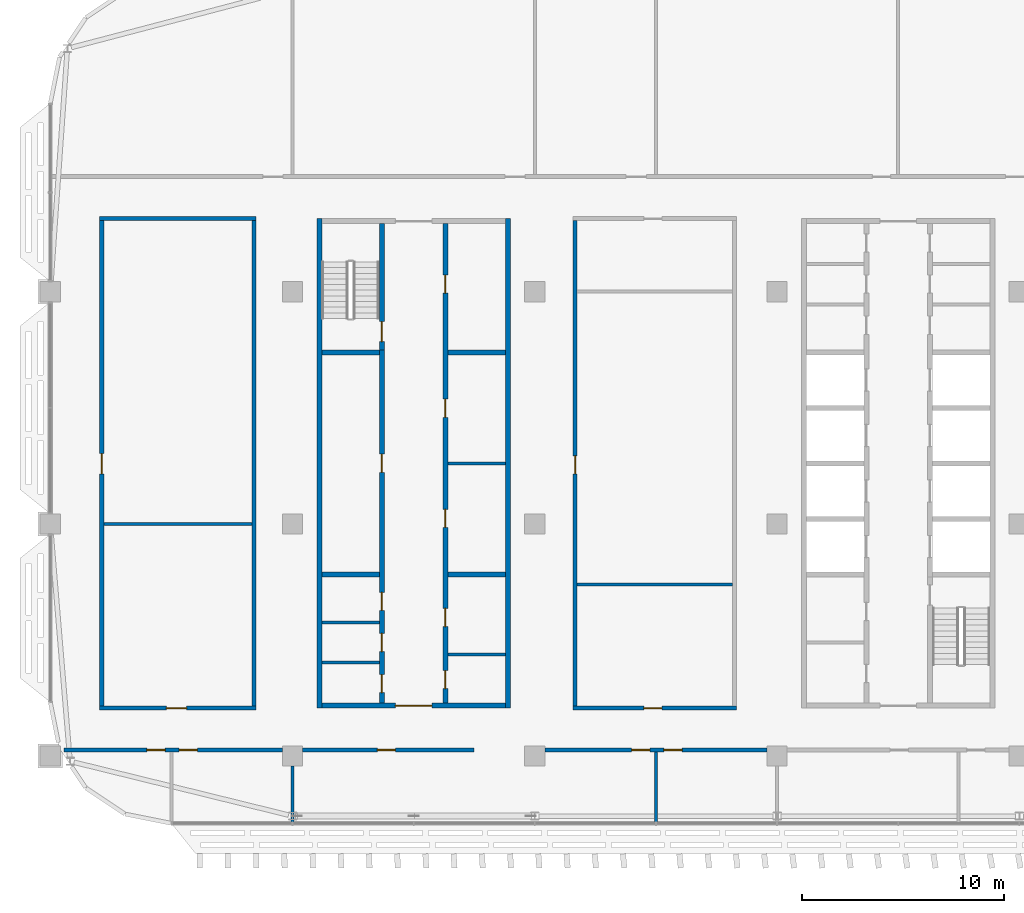
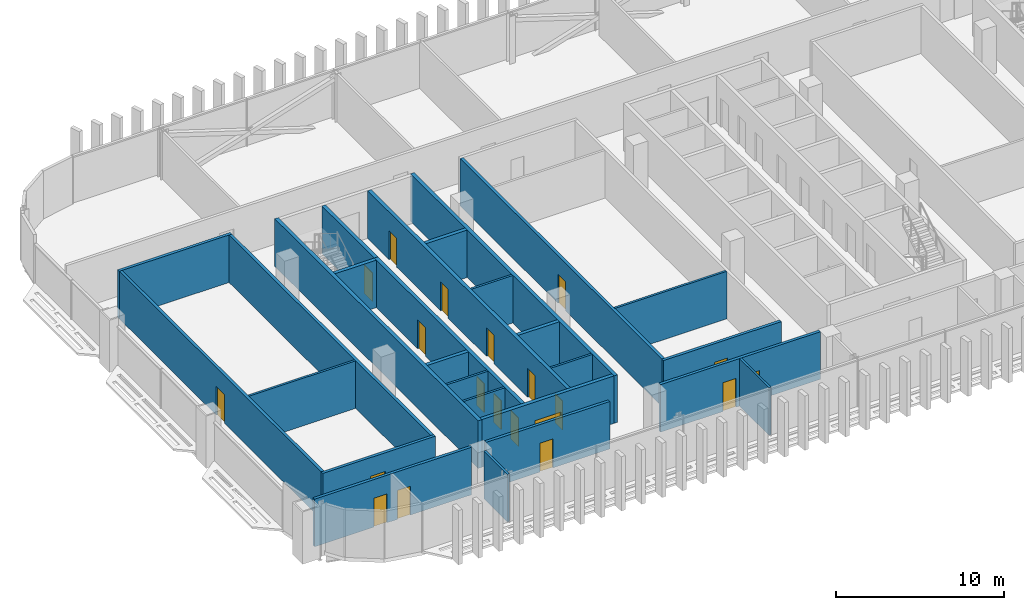
# One storey, part 17 of 35: 27 walls, 20 doors, 20 openings.
"""IFC4 building model written with IfcOpenShell, lengths in metres."""

from ifc_helpers import new_model, si_unit, direction, frame, frame_2d, origin, place, context, subcontext, project, spatial, rectangle, extrude, material, layer, layer_set, type_object, element, fill, save


model = new_model("IFC4")

# Units and contexts
model_context = context("Model", 3, precision=1e-05, world=origin(), true_north=direction((0.0, 1.0)))
body_context = subcontext(model_context, "Body", "Model", "MODEL_VIEW")
ifc_project = project(units=[si_unit("LENGTHUNIT", "METRE"), si_unit("AREAUNIT", "SQUARE_METRE"), si_unit("VOLUMEUNIT", "CUBIC_METRE"), si_unit("PLANEANGLEUNIT", "RADIAN"), si_unit("MASSUNIT", "GRAM", prefix="KILO")], contexts=[model_context])

# Site, building, storey
site_placement = place(None, origin())
site = spatial("IfcSite", under=ifc_project, at=site_placement, CompositionType="ELEMENT")
building_placement = place(site_placement, origin())
building = spatial("IfcBuilding", under=site, at=building_placement, Name="Mahtab Terrace Research Tower", CompositionType="ELEMENT")
storey_placement = place(building_placement, frame((0.0, 0.0, 251.39990234375)))
storey = spatial("IfcBuildingStorey", under=building, at=storey_placement, Name="L61", CompositionType="ELEMENT", Elevation=251.39990234375)

# Walls
ifc_material_1 = material(Name="Gypsum board partition")
ifc_layer_1 = layer(ifc_material_1, 0.14990234375)
ifc_layer_set_1 = layer_set([ifc_layer_1], Name="Core partition 150")
wall_type_1 = type_object("IfcWallType", Name="Core partition 150", PredefinedType="PARTITIONING", material=ifc_layer_set_1)
for number, where, z_axis, x_axis, name in (
    (1, (-22.300048828125, 3.0, 0.0), (0.0, 0.0, 1.0), (1.0, 0.0, 0.0), "Core wall A pEL0"),
    (2, (-28.550048828125, -6.875, 0.0), (0.0, 0.0, 1.0), (1.0, 0.0, 0.0), "Core wall A pWS-988"),
    (3, (-28.550048828125, -4.875, 0.0), (0.0, 0.0, 1.0), (1.0, 0.0, 0.0), "Core wall A pWS-788"),
    (4, (-22.300048828125, -6.47509765625, 0.0), (0.0, 0.0, 1.0), (1.0, 0.0, 0.0), "Core wall A pES-948"),
):
    element("IfcWall", number, at=place(storey_placement, frame(where, z_axis=z_axis, x_axis=x_axis)), inside=storey, type_object=wall_type_1, Name=name, PredefinedType="PARTITIONING", context=body_context, shape_type="SweptSolid", body=[
        extrude(rectangle(XDim=2.85009765625, YDim=0.14990234375, at=frame_2d((1.425048828125, 0.0))), origin(), (0.0, 0.0, 1.0), 3.460205078125),
    ])
ifc_material_2 = material(Name="Concrete C70/85", Category="concrete")
ifc_layer_2 = layer(ifc_material_2, 0.25)
ifc_layer_set_2 = layer_set([ifc_layer_2], Name="Core wall 250")
wall_type_2 = type_object("IfcWallType", Name="Core wall 250", PredefinedType="SOLIDWALL", material=ifc_layer_set_2)
for number, where, z_axis, x_axis, name in (
    (5, (-28.675048828125, 15.125, 0.0), (0.0, 0.0, 1.0), (0.0, -1.0, 0.0), "Core wall A outerW"),
    (6, (-19.324951171875, -9.125, 0.0), (0.0, 0.0, 1.0), (0.0, 1.0, 0.0), "Core wall A outerE"),
):
    element("IfcWall", number, at=place(storey_placement, frame(where, z_axis=z_axis, x_axis=x_axis)), inside=storey, type_object=wall_type_2, Name=name, PredefinedType="SOLIDWALL", context=body_context, shape_type="SweptSolid", body=[
        extrude(rectangle(XDim=24.25, YDim=0.25, at=frame_2d((12.125, 0.0))), origin(), (0.0, 0.0, 1.0), 3.460205078125),
    ])

# Wall, opening, door
wall_1_placement = place(storey_placement, frame((-19.449951171875, -9.0, 0.0), z_axis=(0.0, 0.0, 1.0), x_axis=(-1.0, 0.0, 0.0)))
wall_1 = element("IfcWall", 7, at=wall_1_placement, inside=storey, type_object=wall_type_2, Name="Core wall A endS", PredefinedType="SOLIDWALL", context=body_context, shape_type="SweptSolid", body=[
    extrude(rectangle(XDim=9.10009765625, YDim=0.25, at=frame_2d((4.550048828125, 0.0))), origin(), (0.0, 0.0, 1.0), 3.460205078125),
])
opening_1_placement = place(wall_1_placement, frame((3.64990234375, 0.0, 0.0)))
opening_1 = element("IfcOpeningElement", 8, at=opening_1_placement, cuts=wall_1, Name="Opening A-S1", PredefinedType="OPENING", context=body_context, shape_type="SweptSolid", body=[
    extrude(rectangle(XDim=1.800048828125, YDim=2.10009765625, at=frame_2d((0.89990234375, 1.050048828125))), frame((0.0, 0.135009765625, 0.0), z_axis=(0.0, -1.0, 0.0), x_axis=(1.0, 0.0, 0.0)), (0.0, 0.0, 1.0), 0.27001953125),
])
ifc_material_3 = material(Name="Steel fire door", Category="steel")
door_type_1 = type_object("IfcDoorType", Name="Lobby double door 1800x2100 1 HR", OperationType="DOUBLE_DOOR_SINGLE_SWING", PredefinedType="DOOR", material=ifc_material_3)
door_1_placement = place(opening_1_placement, origin())
door_1 = element("IfcDoor", 9, at=door_1_placement, inside=storey, type_object=door_type_1, Name="Core entrance door A S", OperationType="DOUBLE_DOOR_SINGLE_SWING", OverallHeight=2.10009765625, OverallWidth=1.800048828125, PredefinedType="DOOR", context=body_context, shape_type="SweptSolid", body=[
    extrude(rectangle(XDim=1.800048828125, YDim=2.10009765625, at=frame_2d((0.89990234375, 1.050048828125))), frame((0.0, 0.02490234375, 0.0), z_axis=(0.0, -1.0, 0.0), x_axis=(1.0, 0.0, 0.0)), (0.0, 0.0, 1.0), 0.050048828125),
])
fill(opening_1, door_1)

# Wall, openings, doors
wall_2_placement = place(storey_placement, frame((-25.574951171875, -8.875, 0.0), z_axis=(0.0, 0.0, 1.0), x_axis=(0.0, 1.0, 0.0)))
wall_2 = element("IfcWall", 10, at=wall_2_placement, inside=storey, type_object=wall_type_2, Name="Core wall A innerWSL", PredefinedType="SOLIDWALL", context=body_context, shape_type="SweptSolid", body=[
    extrude(rectangle(XDim=17.5, YDim=0.25, at=frame_2d((8.75, 0.0))), origin(), (0.0, 0.0, 1.0), 3.460205078125),
])
opening_2_placement = place(wall_2_placement, frame((11.425048828125, 0.0, 0.0)))
opening_2 = element("IfcOpeningElement", 11, at=opening_2_placement, cuts=wall_2, Name="Opening A-R1", PredefinedType="OPENING", context=body_context, shape_type="SweptSolid", body=[
    extrude(rectangle(XDim=0.89990234375, YDim=2.10009765625, at=frame_2d((0.449951171875, 1.050048828125))), frame((0.0, 0.135009765625, 0.0), z_axis=(0.0, -1.0, 0.0), x_axis=(1.0, 0.0, 0.0)), (0.0, 0.0, 1.0), 0.27001953125),
])
opening_3_placement = place(wall_2_placement, frame((0.512451171875, 0.0, 0.0)))
opening_3 = element("IfcOpeningElement", 12, at=opening_3_placement, cuts=wall_2, Name="Opening A-R4", PredefinedType="OPENING", context=body_context, shape_type="SweptSolid", body=[
    extrude(rectangle(XDim=0.89990234375, YDim=2.10009765625, at=frame_2d((0.449951171875, 1.050048828125))), frame((0.0, 0.135009765625, 0.0), z_axis=(0.0, -1.0, 0.0), x_axis=(1.0, 0.0, 0.0)), (0.0, 0.0, 1.0), 0.27001953125),
])
opening_4_placement = place(wall_2_placement, frame((2.550048828125, 0.0, 0.0)))
opening_4 = element("IfcOpeningElement", 13, at=opening_4_placement, cuts=wall_2, Name="Opening A-R5", PredefinedType="OPENING", context=body_context, shape_type="SweptSolid", body=[
    extrude(rectangle(XDim=0.89990234375, YDim=2.10009765625, at=frame_2d((0.449951171875, 1.050048828125))), frame((0.0, 0.135009765625, 0.0), z_axis=(0.0, -1.0, 0.0), x_axis=(1.0, 0.0, 0.0)), (0.0, 0.0, 1.0), 0.27001953125),
])
opening_5_placement = place(wall_2_placement, frame((4.58740234375, 0.0, 0.0)))
opening_5 = element("IfcOpeningElement", 14, at=opening_5_placement, cuts=wall_2, Name="Opening A-R6", PredefinedType="OPENING", context=body_context, shape_type="SweptSolid", body=[
    extrude(rectangle(XDim=0.89990234375, YDim=2.10009765625, at=frame_2d((0.449951171875, 1.050048828125))), frame((0.0, 0.135009765625, 0.0), z_axis=(0.0, -1.0, 0.0), x_axis=(1.0, 0.0, 0.0)), (0.0, 0.0, 1.0), 0.27001953125),
])
door_type_2 = type_object("IfcDoorType", Name="Room door 900x2100 1 HR", OperationType="NOTDEFINED", PredefinedType="DOOR", material=ifc_material_3)
door_2_placement = place(opening_2_placement, origin())
door_2 = element("IfcDoor", 15, at=door_2_placement, inside=storey, type_object=door_type_2, Name="Plant room door", OperationType="SINGLE_SWING_LEFT", OverallHeight=2.10009765625, OverallWidth=0.89990234375, PredefinedType="DOOR", context=body_context, shape_type="SweptSolid", body=[
    extrude(rectangle(XDim=0.89990234375, YDim=2.10009765625, at=frame_2d((0.449951171875, 1.050048828125))), frame((0.0, 0.02490234375, 0.0), z_axis=(0.0, -1.0, 0.0), x_axis=(1.0, 0.0, 0.0)), (0.0, 0.0, 1.0), 0.050048828125),
])
fill(opening_2, door_2)
door_3_placement = place(opening_3_placement, origin())
door_3 = element("IfcDoor", 16, at=door_3_placement, inside=storey, type_object=door_type_2, Name="Male WC door", OperationType="SINGLE_SWING_RIGHT", OverallHeight=2.10009765625, OverallWidth=0.89990234375, PredefinedType="DOOR", context=body_context, shape_type="SweptSolid", body=[
    extrude(rectangle(XDim=0.89990234375, YDim=2.10009765625, at=frame_2d((0.449951171875, 1.050048828125))), frame((0.0, 0.02490234375, 0.0), z_axis=(0.0, -1.0, 0.0), x_axis=(1.0, 0.0, 0.0)), (0.0, 0.0, 1.0), 0.050048828125),
])
fill(opening_3, door_3)
door_4_placement = place(opening_4_placement, origin())
door_4 = element("IfcDoor", 17, at=door_4_placement, inside=storey, type_object=door_type_2, Name="Female WC door", OperationType="SINGLE_SWING_LEFT", OverallHeight=2.10009765625, OverallWidth=0.89990234375, PredefinedType="DOOR", context=body_context, shape_type="SweptSolid", body=[
    extrude(rectangle(XDim=0.89990234375, YDim=2.10009765625, at=frame_2d((0.449951171875, 1.050048828125))), frame((0.0, 0.02490234375, 0.0), z_axis=(0.0, -1.0, 0.0), x_axis=(1.0, 0.0, 0.0)), (0.0, 0.0, 1.0), 0.050048828125),
])
fill(opening_4, door_4)
door_5_placement = place(opening_5_placement, origin())
door_5 = element("IfcDoor", 18, at=door_5_placement, inside=storey, type_object=door_type_2, Name="Accessible WC door", OperationType="SINGLE_SWING_RIGHT", OverallHeight=2.10009765625, OverallWidth=0.89990234375, PredefinedType="DOOR", context=body_context, shape_type="SweptSolid", body=[
    extrude(rectangle(XDim=0.89990234375, YDim=2.10009765625, at=frame_2d((0.449951171875, 1.050048828125))), frame((0.0, 0.02490234375, 0.0), z_axis=(0.0, -1.0, 0.0), x_axis=(1.0, 0.0, 0.0)), (0.0, 0.0, 1.0), 0.050048828125),
])
fill(opening_5, door_5)

# Wall, opening, door
wall_3_placement = place(storey_placement, frame((-25.574951171875, 14.875, 0.0), z_axis=(0.0, 0.0, 1.0), x_axis=(0.0, -1.0, 0.0)))
wall_3 = element("IfcWall", 19, at=wall_3_placement, inside=storey, type_object=wall_type_2, Name="Core wall A innerWN", PredefinedType="SOLIDWALL", context=body_context, shape_type="SweptSolid", body=[
    extrude(rectangle(XDim=6.25, YDim=0.25, at=frame_2d((3.125, 0.0))), origin(), (0.0, 0.0, 1.0), 3.460205078125),
])
opening_6_placement = place(wall_3_placement, frame((4.85009765625, 0.0, 0.0)))
opening_6 = element("IfcOpeningElement", 20, at=opening_6_placement, cuts=wall_3, Name="Opening A-ST1", PredefinedType="OPENING", context=body_context, shape_type="SweptSolid", body=[
    extrude(rectangle(XDim=1.0, YDim=2.10009765625, at=frame_2d((0.5, 1.050048828125))), frame((0.0, 0.135009765625, 0.0), z_axis=(0.0, -1.0, 0.0), x_axis=(1.0, 0.0, 0.0)), (0.0, 0.0, 1.0), 0.27001953125),
])
door_type_3 = type_object("IfcDoorType", Name="Stair door 1000x2100 1.5 HR", OperationType="NOTDEFINED", PredefinedType="DOOR", material=ifc_material_3)
door_6_placement = place(opening_6_placement, origin())
door_6 = element("IfcDoor", 21, at=door_6_placement, inside=storey, type_object=door_type_3, Name="Stair door ST1 L61", OperationType="SINGLE_SWING_RIGHT", OverallHeight=2.10009765625, OverallWidth=1.0, PredefinedType="DOOR", context=body_context, shape_type="SweptSolid", body=[
    extrude(rectangle(XDim=1.0, YDim=2.10009765625, at=frame_2d((0.5, 1.050048828125))), frame((0.0, 0.02490234375, 0.0), z_axis=(0.0, -1.0, 0.0), x_axis=(1.0, 0.0, 0.0)), (0.0, 0.0, 1.0), 0.050048828125),
])
fill(opening_6, door_6)

# Wall, openings, doors
wall_4_placement = place(storey_placement, frame((-22.425048828125, 14.875, 0.0), z_axis=(0.0, 0.0, 1.0), x_axis=(0.0, -1.0, 0.0)))
wall_4 = element("IfcWall", 22, at=wall_4_placement, inside=storey, type_object=wall_type_2, Name="Core wall A innerESLN", PredefinedType="SOLIDWALL", context=body_context, shape_type="SweptSolid", body=[
    extrude(rectangle(XDim=23.75, YDim=0.25, at=frame_2d((11.875, 0.0))), origin(), (0.0, 0.0, 1.0), 3.460205078125),
])
opening_7_placement = place(wall_4_placement, frame((14.14990234375, 0.0, 0.0)))
opening_7 = element("IfcOpeningElement", 23, at=opening_7_placement, cuts=wall_4, Name="Opening A-R2", PredefinedType="OPENING", context=body_context, shape_type="SweptSolid", body=[
    extrude(rectangle(XDim=0.89990234375, YDim=2.10009765625, at=frame_2d((0.449951171875, 1.050048828125))), frame((0.0, 0.135009765625, 0.0), z_axis=(0.0, -1.0, 0.0), x_axis=(1.0, 0.0, 0.0)), (0.0, 0.0, 1.0), 0.27001953125),
])
opening_8_placement = place(wall_4_placement, frame((8.699951171875, 0.0, 0.0)))
opening_8 = element("IfcOpeningElement", 24, at=opening_8_placement, cuts=wall_4, Name="Opening A-R3", PredefinedType="OPENING", context=body_context, shape_type="SweptSolid", body=[
    extrude(rectangle(XDim=0.89990234375, YDim=2.10009765625, at=frame_2d((0.449951171875, 1.050048828125))), frame((0.0, 0.135009765625, 0.0), z_axis=(0.0, -1.0, 0.0), x_axis=(1.0, 0.0, 0.0)), (0.0, 0.0, 1.0), 0.27001953125),
])
opening_9_placement = place(wall_4_placement, frame((22.137451171875, 0.0, 0.0)))
opening_9 = element("IfcOpeningElement", 25, at=opening_9_placement, cuts=wall_4, Name="Opening A-R7", PredefinedType="OPENING", context=body_context, shape_type="SweptSolid", body=[
    extrude(rectangle(XDim=0.89990234375, YDim=2.10009765625, at=frame_2d((0.449951171875, 1.050048828125))), frame((0.0, 0.135009765625, 0.0), z_axis=(0.0, -1.0, 0.0), x_axis=(1.0, 0.0, 0.0)), (0.0, 0.0, 1.0), 0.27001953125),
])
opening_10_placement = place(wall_4_placement, frame((19.0625, 0.0, 0.0)))
opening_10 = element("IfcOpeningElement", 26, at=opening_10_placement, cuts=wall_4, Name="Opening A-R8", PredefinedType="OPENING", context=body_context, shape_type="SweptSolid", body=[
    extrude(rectangle(XDim=0.89990234375, YDim=2.10009765625, at=frame_2d((0.449951171875, 1.050048828125))), frame((0.0, 0.135009765625, 0.0), z_axis=(0.0, -1.0, 0.0), x_axis=(1.0, 0.0, 0.0)), (0.0, 0.0, 1.0), 0.27001953125),
])
opening_11_placement = place(wall_4_placement, frame((2.550048828125, 0.0, 0.0)))
opening_11 = element("IfcOpeningElement", 27, at=opening_11_placement, cuts=wall_4, Name="Opening A-R9", PredefinedType="OPENING", context=body_context, shape_type="SweptSolid", body=[
    extrude(rectangle(XDim=0.89990234375, YDim=2.10009765625, at=frame_2d((0.449951171875, 1.050048828125))), frame((0.0, 0.135009765625, 0.0), z_axis=(0.0, -1.0, 0.0), x_axis=(1.0, 0.0, 0.0)), (0.0, 0.0, 1.0), 0.27001953125),
])
door_7_placement = place(opening_7_placement, origin())
door_7 = element("IfcDoor", 28, at=door_7_placement, inside=storey, type_object=door_type_2, Name="Document store door", OperationType="SINGLE_SWING_RIGHT", OverallHeight=2.10009765625, OverallWidth=0.89990234375, PredefinedType="DOOR", context=body_context, shape_type="SweptSolid", body=[
    extrude(rectangle(XDim=0.89990234375, YDim=2.10009765625, at=frame_2d((0.449951171875, 1.050048828125))), frame((0.0, 0.02490234375, 0.0), z_axis=(0.0, -1.0, 0.0), x_axis=(1.0, 0.0, 0.0)), (0.0, 0.0, 1.0), 0.050048828125),
])
fill(opening_7, door_7)
door_8_placement = place(opening_8_placement, origin())
door_8 = element("IfcDoor", 29, at=door_8_placement, inside=storey, type_object=door_type_2, Name="IT equipment room door", OperationType="SINGLE_SWING_LEFT", OverallHeight=2.10009765625, OverallWidth=0.89990234375, PredefinedType="DOOR", context=body_context, shape_type="SweptSolid", body=[
    extrude(rectangle(XDim=0.89990234375, YDim=2.10009765625, at=frame_2d((0.449951171875, 1.050048828125))), frame((0.0, 0.02490234375, 0.0), z_axis=(0.0, -1.0, 0.0), x_axis=(1.0, 0.0, 0.0)), (0.0, 0.0, 1.0), 0.050048828125),
])
fill(opening_8, door_8)
door_9_placement = place(opening_9_placement, origin())
door_9 = element("IfcDoor", 30, at=door_9_placement, inside=storey, type_object=door_type_2, Name="Mechanical riser room door", OperationType="SINGLE_SWING_LEFT", OverallHeight=2.10009765625, OverallWidth=0.89990234375, PredefinedType="DOOR", context=body_context, shape_type="SweptSolid", body=[
    extrude(rectangle(XDim=0.89990234375, YDim=2.10009765625, at=frame_2d((0.449951171875, 1.050048828125))), frame((0.0, 0.02490234375, 0.0), z_axis=(0.0, -1.0, 0.0), x_axis=(1.0, 0.0, 0.0)), (0.0, 0.0, 1.0), 0.050048828125),
])
fill(opening_9, door_9)
door_10_placement = place(opening_10_placement, origin())
door_10 = element("IfcDoor", 31, at=door_10_placement, inside=storey, type_object=door_type_2, Name="Chemical store door", OperationType="SINGLE_SWING_RIGHT", OverallHeight=2.10009765625, OverallWidth=0.89990234375, PredefinedType="DOOR", context=body_context, shape_type="SweptSolid", body=[
    extrude(rectangle(XDim=0.89990234375, YDim=2.10009765625, at=frame_2d((0.449951171875, 1.050048828125))), frame((0.0, 0.02490234375, 0.0), z_axis=(0.0, -1.0, 0.0), x_axis=(1.0, 0.0, 0.0)), (0.0, 0.0, 1.0), 0.050048828125),
])
fill(opening_10, door_10)
door_11_placement = place(opening_11_placement, origin())
door_11 = element("IfcDoor", 32, at=door_11_placement, inside=storey, type_object=door_type_2, Name="Gas cylinder store door", OperationType="SINGLE_SWING_LEFT", OverallHeight=2.10009765625, OverallWidth=0.89990234375, PredefinedType="DOOR", context=body_context, shape_type="SweptSolid", body=[
    extrude(rectangle(XDim=0.89990234375, YDim=2.10009765625, at=frame_2d((0.449951171875, 1.050048828125))), frame((0.0, 0.02490234375, 0.0), z_axis=(0.0, -1.0, 0.0), x_axis=(1.0, 0.0, 0.0)), (0.0, 0.0, 1.0), 0.050048828125),
])
fill(opening_11, door_11)

# Walls
for number, where, z_axis, x_axis, name in (
    (33, (-28.550048828125, -2.5, 0.0), (0.0, 0.0, 1.0), (1.0, 0.0, 0.0), "Core wall A divW0"),
    (34, (-28.550048828125, 8.5, 0.0), (0.0, 0.0, 1.0), (1.0, 0.0, 0.0), "Core wall A divW4"),
    (35, (-22.300048828125, -2.5, 0.0), (0.0, 0.0, 1.0), (1.0, 0.0, 0.0), "Core wall A divE0"),
    (36, (-22.300048828125, 8.5, 0.0), (0.0, 0.0, 1.0), (1.0, 0.0, 0.0), "Core wall A divE4"),
):
    element("IfcWall", number, at=place(storey_placement, frame(where, z_axis=z_axis, x_axis=x_axis)), inside=storey, type_object=wall_type_2, Name=name, PredefinedType="SOLIDWALL", context=body_context, shape_type="SweptSolid", body=[
        extrude(rectangle(XDim=2.85009765625, YDim=0.25, at=frame_2d((1.425048828125, 0.0))), origin(), (0.0, 0.0, 1.0), 3.460205078125),
    ])

# Wall, openings, doors
ifc_material_4 = material(Name="Gypsum board corridor wall on steel studs", Category="steel")
ifc_layer_3 = layer(ifc_material_4, 0.199951171875)
ifc_layer_set_3 = layer_set([ifc_layer_3], Name="WALL CORRIDOR 200")
wall_type_3 = type_object("IfcWallType", Name="WALL CORRIDOR 200", PredefinedType="PARTITIONING", material=ifc_layer_set_3)
wall_5_placement = place(storey_placement, frame((-41.316162109375, -11.199951171875, 0.0), z_axis=(0.0, 0.0, 1.0), x_axis=(1.0, 0.0, 0.0)))
wall_5 = element("IfcWall", 37, at=wall_5_placement, inside=storey, type_object=wall_type_3, Name="L61-W001", PredefinedType="PARTITIONING", context=body_context, shape_type="SweptSolid", body=[
    extrude(rectangle(XDim=10.816162109375, YDim=0.199951171875, at=frame_2d((5.408203125, 0.0))), origin(), (0.0, 0.0, 1.0), 3.460205078125),
])
opening_12_placement = place(wall_5_placement, frame((4.10009765625, 0.0, 0.0)))
opening_12 = element("IfcOpeningElement", 38, at=opening_12_placement, cuts=wall_5, Name="Opening L61-101", PredefinedType="OPENING", context=body_context, shape_type="SweptSolid", body=[
    extrude(rectangle(XDim=0.89990234375, YDim=2.10009765625, at=frame_2d((0.449951171875, 1.050048828125))), frame((0.0, 0.10986328125, 0.0), z_axis=(0.0, -1.0, 0.0), x_axis=(1.0, 0.0, 0.0)), (0.0, 0.0, 1.0), 0.219970703125),
])
opening_13_placement = place(wall_5_placement, frame((5.699951171875, 0.0, 0.0)))
opening_13 = element("IfcOpeningElement", 39, at=opening_13_placement, cuts=wall_5, Name="Opening L61-102", PredefinedType="OPENING", context=body_context, shape_type="SweptSolid", body=[
    extrude(rectangle(XDim=0.89990234375, YDim=2.10009765625, at=frame_2d((0.449951171875, 1.050048828125))), frame((0.0, 0.10986328125, 0.0), z_axis=(0.0, -1.0, 0.0), x_axis=(1.0, 0.0, 0.0)), (0.0, 0.0, 1.0), 0.219970703125),
])
ifc_material_5 = material(Name="Timber door leaf in steel frame", Category="steel")
door_type_4 = type_object("IfcDoorType", Name="DOOR 0900X2100 FD30S", OperationType="SINGLE_SWING_LEFT", PredefinedType="DOOR", material=ifc_material_5)
door_12_placement = place(opening_12_placement, origin())
door_12 = element("IfcDoor", 40, at=door_12_placement, inside=storey, type_object=door_type_4, Name="Door L61-101", OperationType="SINGLE_SWING_RIGHT", OverallHeight=2.10009765625, OverallWidth=0.89990234375, PredefinedType="DOOR", context=body_context, shape_type="SweptSolid", body=[
    extrude(rectangle(XDim=0.89990234375, YDim=2.10009765625, at=frame_2d((0.449951171875, 1.050048828125))), frame((0.0, 0.02490234375, 0.0), z_axis=(0.0, -1.0, 0.0), x_axis=(1.0, 0.0, 0.0)), (0.0, 0.0, 1.0), 0.050048828125),
])
fill(opening_12, door_12)
door_13_placement = place(opening_13_placement, origin())
door_13 = element("IfcDoor", 41, at=door_13_placement, inside=storey, type_object=door_type_4, Name="Door L61-102", OperationType="SINGLE_SWING_LEFT", OverallHeight=2.10009765625, OverallWidth=0.89990234375, PredefinedType="DOOR", context=body_context, shape_type="SweptSolid", body=[
    extrude(rectangle(XDim=0.89990234375, YDim=2.10009765625, at=frame_2d((0.449951171875, 1.050048828125))), frame((0.0, 0.02490234375, 0.0), z_axis=(0.0, -1.0, 0.0), x_axis=(1.0, 0.0, 0.0)), (0.0, 0.0, 1.0), 0.050048828125),
])
fill(opening_13, door_13)

# Wall, opening, door
wall_6_placement = place(storey_placement, frame((-29.5, -11.199951171875, 0.0), z_axis=(0.0, 0.0, 1.0), x_axis=(1.0, 0.0, 0.0)))
wall_6 = element("IfcWall", 42, at=wall_6_placement, inside=storey, type_object=wall_type_3, Name="L61-W002", PredefinedType="PARTITIONING", context=body_context, shape_type="SweptSolid", body=[
    extrude(rectangle(XDim=8.5, YDim=0.199951171875, at=frame_2d((4.25, 0.0))), origin(), (0.0, 0.0, 1.0), 3.460205078125),
])
opening_14_placement = place(wall_6_placement, frame((3.699951171875, 0.0, 0.0)))
opening_14 = element("IfcOpeningElement", 43, at=opening_14_placement, cuts=wall_6, Name="Opening L61-103", PredefinedType="OPENING", context=body_context, shape_type="SweptSolid", body=[
    extrude(rectangle(XDim=0.89990234375, YDim=2.10009765625, at=frame_2d((0.449951171875, 1.050048828125))), frame((0.0, 0.10986328125, 0.0), z_axis=(0.0, -1.0, 0.0), x_axis=(1.0, 0.0, 0.0)), (0.0, 0.0, 1.0), 0.219970703125),
])
door_14_placement = place(opening_14_placement, origin())
door_14 = element("IfcDoor", 44, at=door_14_placement, inside=storey, type_object=door_type_4, Name="Door L61-103", OperationType="SINGLE_SWING_RIGHT", OverallHeight=2.10009765625, OverallWidth=0.89990234375, PredefinedType="DOOR", context=body_context, shape_type="SweptSolid", body=[
    extrude(rectangle(XDim=0.89990234375, YDim=2.10009765625, at=frame_2d((0.449951171875, 1.050048828125))), frame((0.0, 0.02490234375, 0.0), z_axis=(0.0, -1.0, 0.0), x_axis=(1.0, 0.0, 0.0)), (0.0, 0.0, 1.0), 0.050048828125),
])
fill(opening_14, door_14)

# Wall, openings, doors
wall_7_placement = place(storey_placement, frame((-17.5, -11.199951171875, 0.0), z_axis=(0.0, 0.0, 1.0), x_axis=(1.0, 0.0, 0.0)))
wall_7 = element("IfcWall", 45, at=wall_7_placement, inside=storey, type_object=wall_type_3, Name="L61-W003", PredefinedType="PARTITIONING", context=body_context, shape_type="SweptSolid", body=[
    extrude(rectangle(XDim=11.0, YDim=0.199951171875, at=frame_2d((5.5, 0.0))), origin(), (0.0, 0.0, 1.0), 3.460205078125),
])
opening_15_placement = place(wall_7_placement, frame((4.300048828125, 0.0, 0.0)))
opening_15 = element("IfcOpeningElement", 46, at=opening_15_placement, cuts=wall_7, Name="Opening L61-104", PredefinedType="OPENING", context=body_context, shape_type="SweptSolid", body=[
    extrude(rectangle(XDim=0.89990234375, YDim=2.10009765625, at=frame_2d((0.449951171875, 1.050048828125))), frame((0.0, 0.10986328125, 0.0), z_axis=(0.0, -1.0, 0.0), x_axis=(1.0, 0.0, 0.0)), (0.0, 0.0, 1.0), 0.219970703125),
])
opening_16_placement = place(wall_7_placement, frame((5.89990234375, 0.0, 0.0)))
opening_16 = element("IfcOpeningElement", 47, at=opening_16_placement, cuts=wall_7, Name="Opening L61-105", PredefinedType="OPENING", context=body_context, shape_type="SweptSolid", body=[
    extrude(rectangle(XDim=0.89990234375, YDim=2.10009765625, at=frame_2d((0.449951171875, 1.050048828125))), frame((0.0, 0.10986328125, 0.0), z_axis=(0.0, -1.0, 0.0), x_axis=(1.0, 0.0, 0.0)), (0.0, 0.0, 1.0), 0.219970703125),
])
door_15_placement = place(opening_15_placement, origin())
door_15 = element("IfcDoor", 48, at=door_15_placement, inside=storey, type_object=door_type_4, Name="Door L61-104", OperationType="SINGLE_SWING_RIGHT", OverallHeight=2.10009765625, OverallWidth=0.89990234375, PredefinedType="DOOR", context=body_context, shape_type="SweptSolid", body=[
    extrude(rectangle(XDim=0.89990234375, YDim=2.10009765625, at=frame_2d((0.449951171875, 1.050048828125))), frame((0.0, 0.02490234375, 0.0), z_axis=(0.0, -1.0, 0.0), x_axis=(1.0, 0.0, 0.0)), (0.0, 0.0, 1.0), 0.050048828125),
])
fill(opening_15, door_15)
door_16_placement = place(opening_16_placement, origin())
door_16 = element("IfcDoor", 49, at=door_16_placement, inside=storey, type_object=door_type_4, Name="Door L61-105", OperationType="SINGLE_SWING_LEFT", OverallHeight=2.10009765625, OverallWidth=0.89990234375, PredefinedType="DOOR", context=body_context, shape_type="SweptSolid", body=[
    extrude(rectangle(XDim=0.89990234375, YDim=2.10009765625, at=frame_2d((0.449951171875, 1.050048828125))), frame((0.0, 0.02490234375, 0.0), z_axis=(0.0, -1.0, 0.0), x_axis=(1.0, 0.0, 0.0)), (0.0, 0.0, 1.0), 0.050048828125),
])
fill(opening_16, door_16)

# Wall, opening, door
wall_8_placement = place(storey_placement, frame((-39.550048828125, -9.125, 0.0), z_axis=(0.0, 0.0, 1.0), x_axis=(1.0, 0.0, 0.0)))
wall_8 = element("IfcWall", 50, at=wall_8_placement, inside=storey, type_object=wall_type_3, Name="L61-W009", PredefinedType="PARTITIONING", context=body_context, shape_type="SweptSolid", body=[
    extrude(rectangle(XDim=7.75, YDim=0.199951171875, at=frame_2d((3.875, 0.0))), origin(), (0.0, 0.0, 1.0), 3.460205078125),
])
opening_17_placement = place(wall_8_placement, frame((3.300048828125, 0.0, 0.0)))
opening_17 = element("IfcOpeningElement", 51, at=opening_17_placement, cuts=wall_8, Name="Opening L61-116", PredefinedType="OPENING", context=body_context, shape_type="SweptSolid", body=[
    extrude(rectangle(XDim=1.0, YDim=2.10009765625, at=frame_2d((0.5, 1.050048828125))), frame((0.0, 0.10986328125, 0.0), z_axis=(0.0, -1.0, 0.0), x_axis=(1.0, 0.0, 0.0)), (0.0, 0.0, 1.0), 0.219970703125),
])
door_type_5 = type_object("IfcDoorType", Name="DOOR 1000X2100 FD30S", OperationType="SINGLE_SWING_LEFT", PredefinedType="DOOR", material=ifc_material_5)
door_17_placement = place(opening_17_placement, origin())
door_17 = element("IfcDoor", 52, at=door_17_placement, inside=storey, type_object=door_type_5, Name="Door L61-116", OperationType="SINGLE_SWING_LEFT", OverallHeight=2.10009765625, OverallWidth=1.0, PredefinedType="DOOR", context=body_context, shape_type="SweptSolid", body=[
    extrude(rectangle(XDim=1.0, YDim=2.10009765625, at=frame_2d((0.5, 1.050048828125))), frame((0.0, 0.02490234375, 0.0), z_axis=(0.0, -1.0, 0.0), x_axis=(1.0, 0.0, 0.0)), (0.0, 0.0, 1.0), 0.050048828125),
])
fill(opening_17, door_17)

wall_9_placement = place(storey_placement, frame((-16.10009765625, -9.125, 0.0), z_axis=(0.0, 0.0, 1.0), x_axis=(1.0, 0.0, 0.0)))
wall_9 = element("IfcWall", 53, at=wall_9_placement, inside=storey, type_object=wall_type_3, Name="L61-W010", PredefinedType="PARTITIONING", context=body_context, shape_type="SweptSolid", body=[
    extrude(rectangle(XDim=8.10009765625, YDim=0.199951171875, at=frame_2d((4.050048828125, 0.0))), origin(), (0.0, 0.0, 1.0), 3.460205078125),
])
opening_18_placement = place(wall_9_placement, frame((3.5, 0.0, 0.0)))
opening_18 = element("IfcOpeningElement", 54, at=opening_18_placement, cuts=wall_9, Name="Opening L61-114", PredefinedType="OPENING", context=body_context, shape_type="SweptSolid", body=[
    extrude(rectangle(XDim=0.89990234375, YDim=2.10009765625, at=frame_2d((0.449951171875, 1.050048828125))), frame((0.0, 0.10986328125, 0.0), z_axis=(0.0, -1.0, 0.0), x_axis=(1.0, 0.0, 0.0)), (0.0, 0.0, 1.0), 0.219970703125),
])
door_18_placement = place(opening_18_placement, origin())
door_18 = element("IfcDoor", 55, at=door_18_placement, inside=storey, type_object=door_type_4, Name="Door L61-114", OperationType="SINGLE_SWING_LEFT", OverallHeight=2.10009765625, OverallWidth=0.89990234375, PredefinedType="DOOR", context=body_context, shape_type="SweptSolid", body=[
    extrude(rectangle(XDim=0.89990234375, YDim=2.10009765625, at=frame_2d((0.449951171875, 1.050048828125))), frame((0.0, 0.02490234375, 0.0), z_axis=(0.0, -1.0, 0.0), x_axis=(1.0, 0.0, 0.0)), (0.0, 0.0, 1.0), 0.050048828125),
])
fill(opening_18, door_18)

# Wall
wall_10_placement = place(storey_placement, frame((-39.550048828125, 15.125, 0.0), z_axis=(0.0, 0.0, 1.0), x_axis=(1.0, 0.0, 0.0)))
element("IfcWall", 56, at=wall_10_placement, inside=storey, type_object=wall_type_3, Name="L61-W020", PredefinedType="PARTITIONING", context=body_context, shape_type="SweptSolid", body=[
    extrude(rectangle(XDim=7.75, YDim=0.199951171875, at=frame_2d((3.875, 0.0))), origin(), (0.0, 0.0, 1.0), 3.460205078125),
])

# Wall, opening, door
wall_11_placement = place(storey_placement, frame((-39.449951171875, -9.02490234375, 0.0), z_axis=(0.0, 0.0, 1.0), x_axis=(0.0, 1.0, 0.0)))
wall_11 = element("IfcWall", 57, at=wall_11_placement, inside=storey, type_object=wall_type_3, Name="L61-W025", PredefinedType="PARTITIONING", context=body_context, shape_type="SweptSolid", body=[
    extrude(rectangle(XDim=24.0498046875, YDim=0.199951171875, at=frame_2d((12.02490234375, 0.0))), origin(), (0.0, 0.0, 1.0), 3.460205078125),
])
opening_19_placement = place(wall_11_placement, frame((11.5, 0.0, 0.0)))
opening_19 = element("IfcOpeningElement", 58, at=opening_19_placement, cuts=wall_11, Name="Opening L61-120", PredefinedType="OPENING", context=body_context, shape_type="SweptSolid", body=[
    extrude(rectangle(XDim=1.0, YDim=2.10009765625, at=frame_2d((0.5, 1.050048828125))), frame((0.0, 0.10986328125, 0.0), z_axis=(0.0, -1.0, 0.0), x_axis=(1.0, 0.0, 0.0)), (0.0, 0.0, 1.0), 0.219970703125),
])
door_19_placement = place(opening_19_placement, origin())
door_19 = element("IfcDoor", 59, at=door_19_placement, inside=storey, type_object=door_type_5, Name="Door L61-120", OperationType="SINGLE_SWING_RIGHT", OverallHeight=2.10009765625, OverallWidth=1.0, PredefinedType="DOOR", context=body_context, shape_type="SweptSolid", body=[
    extrude(rectangle(XDim=1.0, YDim=2.10009765625, at=frame_2d((0.5, 1.050048828125))), frame((0.0, 0.02490234375, 0.0), z_axis=(0.0, -1.0, 0.0), x_axis=(1.0, 0.0, 0.0)), (0.0, 0.0, 1.0), 0.050048828125),
])
fill(opening_19, door_19)

# Wall
wall_12_placement = place(storey_placement, frame((-31.89990234375, -9.02490234375, 0.0), z_axis=(0.0, 0.0, 1.0), x_axis=(0.0, 1.0, 0.0)))
element("IfcWall", 60, at=wall_12_placement, inside=storey, type_object=wall_type_3, Name="L61-W027", PredefinedType="PARTITIONING", context=body_context, shape_type="SweptSolid", body=[
    extrude(rectangle(XDim=24.0498046875, YDim=0.199951171875, at=frame_2d((12.02490234375, 0.0))), origin(), (0.0, 0.0, 1.0), 3.460205078125),
])

# Wall, opening, door
wall_13_placement = place(storey_placement, frame((-16.0, -9.02490234375, 0.0), z_axis=(0.0, 0.0, 1.0), x_axis=(0.0, 1.0, 0.0)))
wall_13 = element("IfcWall", 61, at=wall_13_placement, inside=storey, type_object=wall_type_3, Name="L61-W031", PredefinedType="PARTITIONING", context=body_context, shape_type="SweptSolid", body=[
    extrude(rectangle(XDim=24.0498046875, YDim=0.199951171875, at=frame_2d((12.02490234375, 0.0))), origin(), (0.0, 0.0, 1.0), 3.460205078125),
])
opening_20_placement = place(wall_13_placement, frame((11.5, 0.0, 0.0)))
opening_20 = element("IfcOpeningElement", 62, at=opening_20_placement, cuts=wall_13, Name="Opening L61-118", PredefinedType="OPENING", context=body_context, shape_type="SweptSolid", body=[
    extrude(rectangle(XDim=0.89990234375, YDim=2.10009765625, at=frame_2d((0.449951171875, 1.050048828125))), frame((0.0, 0.10986328125, 0.0), z_axis=(0.0, -1.0, 0.0), x_axis=(1.0, 0.0, 0.0)), (0.0, 0.0, 1.0), 0.219970703125),
])
door_20_placement = place(opening_20_placement, origin())
door_20 = element("IfcDoor", 63, at=door_20_placement, inside=storey, type_object=door_type_4, Name="Door L61-118", OperationType="SINGLE_SWING_RIGHT", OverallHeight=2.10009765625, OverallWidth=0.89990234375, PredefinedType="DOOR", context=body_context, shape_type="SweptSolid", body=[
    extrude(rectangle(XDim=0.89990234375, YDim=2.10009765625, at=frame_2d((0.449951171875, 1.050048828125))), frame((0.0, 0.02490234375, 0.0), z_axis=(0.0, -1.0, 0.0), x_axis=(1.0, 0.0, 0.0)), (0.0, 0.0, 1.0), 0.050048828125),
])
fill(opening_20, door_20)

# Walls
ifc_material_6 = material(Name="Gypsum board partition on steel studs", Category="steel")
ifc_layer_4 = layer(ifc_material_6, 0.14990234375)
ifc_layer_set_4 = layer_set([ifc_layer_4], Name="WALL PARTITION 150")
wall_type_4 = type_object("IfcWallType", Name="WALL PARTITION 150", PredefinedType="PARTITIONING", material=ifc_layer_set_4)
wall_14_placement = place(storey_placement, frame((-15.89990234375, -3.0, 0.0), z_axis=(0.0, 0.0, 1.0), x_axis=(1.0, 0.0, 0.0)))
element("IfcWall", 64, at=wall_14_placement, inside=storey, type_object=wall_type_4, Name="L61-W013", PredefinedType="PARTITIONING", context=body_context, shape_type="SweptSolid", body=[
    extrude(rectangle(XDim=7.699951171875, YDim=0.14990234375, at=frame_2d((3.85009765625, 0.0))), origin(), (0.0, 0.0, 1.0), 3.460205078125),
])
wall_15_placement = place(storey_placement, frame((-39.35009765625, 0.0, 0.0), z_axis=(0.0, 0.0, 1.0), x_axis=(1.0, 0.0, 0.0)))
element("IfcWall", 65, at=wall_15_placement, inside=storey, type_object=wall_type_4, Name="L61-W015", PredefinedType="PARTITIONING", context=body_context, shape_type="SweptSolid", body=[
    extrude(rectangle(XDim=7.35009765625, YDim=0.14990234375, at=frame_2d((3.675048828125, 0.0))), origin(), (0.0, 0.0, 1.0), 3.460205078125),
])
wall_16_placement = place(storey_placement, frame((-30.0, -14.80908203125, 0.0), z_axis=(0.0, 0.0, 1.0), x_axis=(0.0, 1.0, 0.0)))
element("IfcWall", 66, at=wall_16_placement, inside=storey, type_object=wall_type_4, Name="L61-W028", PredefinedType="PARTITIONING", context=body_context, shape_type="SweptSolid", body=[
    extrude(rectangle(XDim=2.80908203125, YDim=0.14990234375, at=frame_2d((1.404541015625, 0.0))), origin(), (0.0, 0.0, 1.0), 3.460205078125),
])
wall_17_placement = place(storey_placement, frame((-12.0, -14.80908203125, 0.0), z_axis=(0.0, 0.0, 1.0), x_axis=(0.0, 1.0, 0.0)))
element("IfcWall", 67, at=wall_17_placement, inside=storey, type_object=wall_type_4, Name="L61-W032", PredefinedType="PARTITIONING", context=body_context, shape_type="SweptSolid", body=[
    extrude(rectangle(XDim=3.509033203125, YDim=0.14990234375, at=frame_2d((1.75439453125, 0.0))), origin(), (0.0, 0.0, 1.0), 3.460205078125),
])

save(model, "model.ifc")
